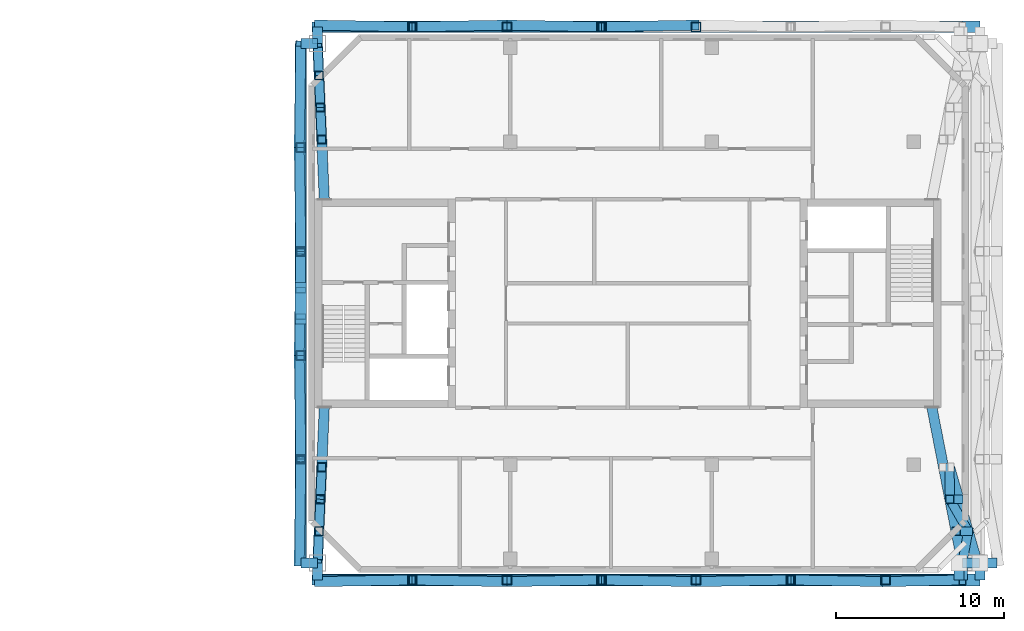
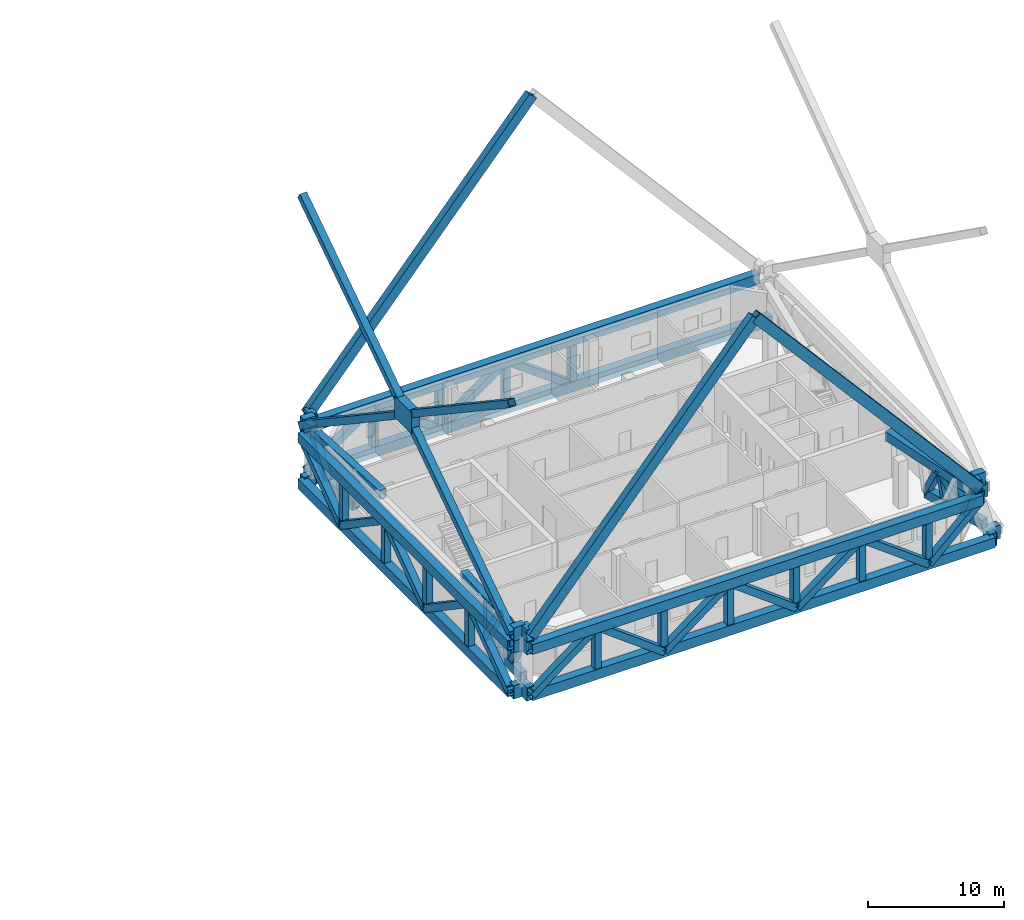
# One storey, part 4 of 20: 55 members, 30 beams.
"""IFC4 building model written with IfcOpenShell, lengths in metres."""

import ifcopenshell
import ifcopenshell.guid

model = None  # the IFC model being written
_history = None  # IfcOwnerHistory: only IFC2X3 demands one
_inside = {}  # id of a spatial element -> (the spatial element, [elements in it])
_under = {}  # id of a project, library or spatial element -> (it, [spatial elements below it])
_declared = {}  # id of a project -> (the project, [libraries it declares])
_typed = {}  # id of a type object -> (the type object, [elements of that type])
_made_of = {}  # id of a material, layer set ... -> (it, [elements and type objects made of it])


def new_model(schema):
    """Start an empty IFC model of exactly this schema.

    Asked for "IFC4X3", IfcOpenShell would pick the latest addendum, in which some entities
    have other attributes; the version numbers below select the first issue.
    IFC2X3 requires an IfcOwnerHistory on every rooted entity: one is made here for all.
    """
    global model, _history
    if schema == "IFC4X3":
        model = ifcopenshell.file(schema_version=(4, 3, 0, 0))
    else:
        model = ifcopenshell.file(schema=schema)
    _inside.clear()
    _under.clear()
    _declared.clear()
    _typed.clear()
    _made_of.clear()
    _history = None
    if model.schema == "IFC2X3":
        org = make("IfcOrganization", Name="unknown")
        user = make(
            "IfcPersonAndOrganization",
            ThePerson=make("IfcPerson", FamilyName="unknown"),
            TheOrganization=org,
        )
        app = make(
            "IfcApplication",
            ApplicationDeveloper=org,
            Version="unknown",
            ApplicationFullName="unknown",
            ApplicationIdentifier="unknown",
        )
        _history = make(
            "IfcOwnerHistory",
            OwningUser=user,
            OwningApplication=app,
            ChangeAction="ADDED",
            CreationDate=0,
        )
    return model


def make(cls, **values):
    """One entity of the class cls with the attributes given. An attribute that is None is left unset."""
    return model.create_entity(
        cls, **{name: value for name, value in values.items() if value is not None}
    )


def rooted(cls, **values):
    """An entity with a GlobalId (a new one), such as an element, a storey or a relation."""
    return make(cls, GlobalId=ifcopenshell.guid.new(), OwnerHistory=_history, **values)


def si_unit(unit_type, name, prefix=None):
    """IfcSIUnit, for example si_unit("LENGTHUNIT", "METRE", prefix="MILLI")."""
    return make("IfcSIUnit", UnitType=unit_type, Prefix=prefix, Name=name)


def assignment(units):
    """IfcUnitAssignment: the units of a project."""
    return None if units is None else make("IfcUnitAssignment", Units=units)


def point(xyz):
    """IfcCartesianPoint."""
    return None if xyz is None else make("IfcCartesianPoint", Coordinates=xyz)


def direction(xyz):
    """IfcDirection."""
    return None if xyz is None else make("IfcDirection", DirectionRatios=xyz)


def frame(location, z_axis=None, x_axis=None):
    """IfcAxis2Placement3D, a coordinate frame: its origin and axes. An axis left out is left unset."""
    return make(
        "IfcAxis2Placement3D",
        Location=point(location),
        Axis=direction(z_axis),
        RefDirection=direction(x_axis),
    )


def frame_2d(location, x_axis=None):
    """IfcAxis2Placement2D, a coordinate frame in the plane: its origin and x axis."""
    return make(
        "IfcAxis2Placement2D", Location=point(location), RefDirection=direction(x_axis)
    )


def origin():
    """The frame at (0, 0, 0) with its axes left unset."""
    return frame((0.0, 0.0, 0.0))


def origin_2d():
    """The frame at (0, 0) in the plane with its x axis left unset."""
    return frame_2d((0.0, 0.0))


def place(relative_to, where):
    """IfcLocalPlacement: puts the frame where relative to a parent placement (None: the world)."""
    return make(
        "IfcLocalPlacement", PlacementRelTo=relative_to, RelativePlacement=where
    )


def context(
    kind, dimensions, precision=None, world=None, true_north=None, identifier=None
):
    """IfcGeometricRepresentationContext, for example the 3D "Model" context."""
    return make(
        "IfcGeometricRepresentationContext",
        ContextIdentifier=identifier,
        ContextType=kind,
        CoordinateSpaceDimension=dimensions,
        Precision=precision,
        WorldCoordinateSystem=world,
        TrueNorth=true_north,
    )


def subcontext(parent, identifier, kind, view, scale=None):
    """IfcGeometricRepresentationSubContext, for example "Body" below "Model"."""
    return make(
        "IfcGeometricRepresentationSubContext",
        ContextIdentifier=identifier,
        ContextType=kind,
        ParentContext=parent,
        TargetScale=scale,
        TargetView=view,
    )


def project(units=None, contexts=None):
    """IfcProject with its units and contexts."""
    return rooted(
        "IfcProject",
        Name="project",
        RepresentationContexts=contexts,
        UnitsInContext=assignment(units),
    )


def spatial(cls, under=None, at=None, **own):
    """A site, building, storey or space (cls), placed at a placement, below another one or the project."""
    s = rooted(cls, ObjectPlacement=at, **own)
    if under is not None:
        _under.setdefault(under.id(), (under, []))[1].append(s)
    return s


def profile(cls, at=None, kind="AREA", **sizes):
    """A parametric profile (cls). Its sizes go by their IFC names, for example OverallWidth=200.0."""
    return make(cls, ProfileType=kind, Position=at, **sizes)


def rectangle(**sizes):
    """IfcRectangleProfileDef."""
    return profile("IfcRectangleProfileDef", **sizes)


def hollow_rectangle(**sizes):
    """IfcRectangleHollowProfileDef."""
    return profile("IfcRectangleHollowProfileDef", **sizes)


def extrude(swept, where, along, depth):
    """IfcExtrudedAreaSolid: the profile swept, set in the frame where, extruded along a direction by depth."""
    return make(
        "IfcExtrudedAreaSolid",
        SweptArea=swept,
        Position=where,
        ExtrudedDirection=direction(along),
        Depth=depth,
    )


def shape(context_of_items, identifier, shape_type, items):
    """IfcShapeRepresentation: the items that make up one representation, for example the "Body"."""
    return make(
        "IfcShapeRepresentation",
        ContextOfItems=context_of_items,
        RepresentationIdentifier=identifier,
        RepresentationType=shape_type,
        Items=items,
    )


def material(Name=None, Category=None):
    """IfcMaterial."""
    return make("IfcMaterial", Name=Name, Category=Category)


def material_profile(
    of_material, cross_section, Name=None, Category=None, Priority=None
):
    """IfcMaterialProfile: a cross section and its material."""
    return make(
        "IfcMaterialProfile",
        Name=Name,
        Material=of_material,
        Profile=cross_section,
        Priority=Priority,
        Category=Category,
    )


def profile_set(profiles, Name=None, composite=None):
    """IfcMaterialProfileSet."""
    return make(
        "IfcMaterialProfileSet",
        Name=Name,
        MaterialProfiles=profiles,
        CompositeProfile=composite,
    )


def made_of(thing, what):
    """Note that an element or type object is made of a material, layer set ...; save() writes the relation."""
    if what is not None:
        _made_of.setdefault(what.id(), (what, []))[1].append(thing)
    return thing


def type_object(cls, material=None, **own):
    """A type object (cls), such as IfcWallType, which elements share."""
    return made_of(rooted(cls, **own), material)


def element(
    cls,
    number,
    at=None,
    inside=None,
    cuts=None,
    type_object=None,
    material=None,
    context=None,
    identifier="Body",
    shape_type=None,
    held_by="IfcProductDefinitionShape",
    body=None,
    shapes=None,
    **own,
):
    """One element of the class cls, such as IfcWall. Its Tag is "e" and its number.

    at: its placement. inside: the storey or other place that contains it. cuts: it is an
    opening in that element (IfcRelVoidsElement). A single representation is given by context,
    identifier, shape_type and body (its items); several are given by shapes. held_by: the class
    of the entity that holds the representations. save() writes the other relations.
    """
    e = rooted(cls, Tag="e%d" % number, ObjectPlacement=at, **own)
    if body is not None:
        shapes = [shape(context, identifier, shape_type, body)]
    if shapes is not None:
        e.Representation = make(held_by, Representations=shapes)
    if inside is not None:
        _inside.setdefault(inside.id(), (inside, []))[1].append(e)
    if cuts is not None:
        rooted(
            "IfcRelVoidsElement", RelatingBuildingElement=cuts, RelatedOpeningElement=e
        )
    if type_object is not None:
        _typed.setdefault(type_object.id(), (type_object, []))[1].append(e)
    return made_of(e, material)


def aggregate(whole, parts):
    """IfcRelAggregates: a whole, such as a stair, and the parts it consists of."""
    return rooted("IfcRelAggregates", RelatingObject=whole, RelatedObjects=parts)


def save(model, path):
    """Write the relations noted so far, then the file.

    IfcRelAggregates (storeys below a building ...), IfcRelContainedInSpatialStructure (elements
    in a storey), IfcRelDefinesByType, IfcRelAssociatesMaterial and IfcRelDeclares: one each for
    every whole, place, type object, material and project.
    """
    for whole, parts in _under.values():
        aggregate(whole, parts)
    for where, things in _inside.values():
        rooted(
            "IfcRelContainedInSpatialStructure",
            RelatedElements=things,
            RelatingStructure=where,
        )
    for kind, things in _typed.values():
        rooted("IfcRelDefinesByType", RelatedObjects=things, RelatingType=kind)
    for what, things in _made_of.values():
        rooted("IfcRelAssociatesMaterial", RelatedObjects=things, RelatingMaterial=what)
    for by, libraries in _declared.values():
        rooted("IfcRelDeclares", RelatingContext=by, RelatedDefinitions=libraries)
    model.write(path)


model = new_model("IFC4")

# Units and contexts
model_context = context("Model", 3, precision=1e-05, world=origin(), true_north=direction((0.0, 1.0)))
body_context = subcontext(model_context, "Body", "Model", "MODEL_VIEW")
ifc_project = project(units=[si_unit("LENGTHUNIT", "METRE"), si_unit("AREAUNIT", "SQUARE_METRE"), si_unit("VOLUMEUNIT", "CUBIC_METRE"), si_unit("PLANEANGLEUNIT", "RADIAN"), si_unit("MASSUNIT", "GRAM", prefix="KILO")], contexts=[model_context])

# Site, building, storey
site_placement = place(None, origin())
site = spatial("IfcSite", under=ifc_project, at=site_placement, CompositionType="ELEMENT")
building_placement = place(site_placement, origin())
building = spatial("IfcBuilding", under=site, at=building_placement, Name="Tuart Gate Housing", CompositionType="ELEMENT")
storey_placement = place(building_placement, frame((0.0, 0.0, 167.10009765625)))
storey = spatial("IfcBuildingStorey", under=building, at=storey_placement, Name="L47", CompositionType="ELEMENT", Elevation=167.10009765625)

# Beams
ifc_material_1 = material(Name="Steel Grade 350", Category="steel")
ifc_material_profile_1 = material_profile(ifc_material_1, hollow_rectangle(XDim=0.699951171875, YDim=0.89990234375, WallThickness=0.0400390625, at=origin_2d()), Name="BOX 900x700x40")
ifc_profile_set_1 = profile_set([ifc_material_profile_1], Name="Steel Grade 350")
beam_type_1 = type_object("IfcBeamType", Name="Belt truss chord BOX 900x700x40", PredefinedType="BEAM", material=ifc_profile_set_1)
for number, where, z_axis, x_axis, name in (
    (1, (131.550048828125, 53.550048828125, 3.75), (1.0, 0.0, 0.0), (0.0, 1.0, 0.0), "Belt truss top chord B south L47"),
    (2, (131.550048828125, 86.449951171875, 3.75), (1.0, 0.0, 0.0), (0.0, 1.0, 0.0), "Belt truss top chord B north L47"),
):
    element("IfcBeam", number, at=place(storey_placement, frame(where, z_axis=z_axis, x_axis=x_axis)), inside=storey, type_object=beam_type_1, Name=name, PredefinedType="BEAM", context=body_context, shape_type="SweptSolid", body=[
        extrude(hollow_rectangle(XDim=0.699951171875, YDim=0.89990234375, WallThickness=0.0400390625, at=origin_2d()), origin(), (0.0, 0.0, 1.0), 38.358154296875),
    ])
beam_1_placement = place(storey_placement, frame((130.550048828125, 54.550048828125, 3.75), z_axis=(0.0, 1.0, 0.0), x_axis=(-1.0, 0.0, 0.0)))
element("IfcBeam", 3, at=beam_1_placement, inside=storey, type_object=beam_type_1, Name="Belt truss top chord B west L47", PredefinedType="BEAM", context=body_context, shape_type="SweptSolid", body=[
    extrude(hollow_rectangle(XDim=0.699951171875, YDim=0.89990234375, WallThickness=0.0400390625, at=origin_2d()), origin(), (0.0, 0.0, 1.0), 30.89990234375),
])

# Members
ifc_material_2 = material(Name="Steel Grade 350", Category="steel")
ifc_material_profile_2 = material_profile(ifc_material_2, hollow_rectangle(XDim=0.60009765625, YDim=0.60009765625, WallThickness=0.031982421875, at=origin_2d()), Name="BOX 600x600x32")
ifc_profile_set_2 = profile_set([ifc_material_profile_2], Name="Steel Grade 350")
member_type_1 = type_object("IfcMemberType", Name="Belt truss diagonal BOX 600x600x32", PredefinedType="BRACE", material=ifc_profile_set_2)
member_1_placement = place(storey_placement, frame((131.550048828125, 53.449951171875, -0.400146484375), z_axis=(0.80478821492, 0.014312000352, 0.593389497524), x_axis=(-0.017780749646, 0.999841909975, 0.0)))
element("IfcMember", 4, at=member_1_placement, inside=storey, type_object=member_type_1, Name="Belt truss diagonal B south 0 L47", PredefinedType="BRACE", context=body_context, shape_type="SweptSolid", body=[
    extrude(hollow_rectangle(XDim=0.60009765625, YDim=0.60009765625, WallThickness=0.031982421875, at=origin_2d()), origin(), (0.0, 0.0, 1.0), 6.993896484375),
])
member_2_placement = place(storey_placement, frame((137.1787109375, 53.550048828125, 3.75), z_axis=(0.804775915997, -0.014312402427, -0.593406167955), x_axis=(0.017781520667, 0.999841896263, 0.0)))
element("IfcMember", 5, at=member_2_placement, inside=storey, type_object=member_type_1, Name="Belt truss diagonal B south 1 L47", PredefinedType="BRACE", context=body_context, shape_type="SweptSolid", body=[
    extrude(hollow_rectangle(XDim=0.60009765625, YDim=0.60009765625, WallThickness=0.031982421875, at=origin_2d()), origin(), (0.0, 0.0, 1.0), 6.99365234375),
])
member_3_placement = place(storey_placement, frame((142.80712890625, 53.449951171875, -0.400146484375), z_axis=(0.80478821492, 0.014312000352, 0.593389497524), x_axis=(-0.017780749646, 0.999841909975, 0.0)))
element("IfcMember", 6, at=member_3_placement, inside=storey, type_object=member_type_1, Name="Belt truss diagonal B south 2 L47", PredefinedType="BRACE", context=body_context, shape_type="SweptSolid", body=[
    extrude(hollow_rectangle(XDim=0.60009765625, YDim=0.60009765625, WallThickness=0.031982421875, at=origin_2d()), origin(), (0.0, 0.0, 1.0), 6.993896484375),
])
member_4_placement = place(storey_placement, frame((148.435791015625, 53.550048828125, 3.75), z_axis=(0.804775915997, -0.014312402427, -0.593406167955), x_axis=(0.017781520667, 0.999841896263, 0.0)))
element("IfcMember", 7, at=member_4_placement, inside=storey, type_object=member_type_1, Name="Belt truss diagonal B south 3 L47", PredefinedType="BRACE", context=body_context, shape_type="SweptSolid", body=[
    extrude(hollow_rectangle(XDim=0.60009765625, YDim=0.60009765625, WallThickness=0.031982421875, at=origin_2d()), origin(), (0.0, 0.0, 1.0), 6.99365234375),
])
member_5_placement = place(storey_placement, frame((154.064208984375, 53.449951171875, -0.400146484375), z_axis=(0.80478821492, 0.014312000352, 0.593389497524), x_axis=(-0.017780749646, 0.999841909975, 0.0)))
element("IfcMember", 8, at=member_5_placement, inside=storey, type_object=member_type_1, Name="Belt truss diagonal B south 4 L47", PredefinedType="BRACE", context=body_context, shape_type="SweptSolid", body=[
    extrude(hollow_rectangle(XDim=0.60009765625, YDim=0.60009765625, WallThickness=0.031982421875, at=origin_2d()), origin(), (0.0, 0.0, 1.0), 6.993896484375),
])
member_6_placement = place(storey_placement, frame((159.69287109375, 53.550048828125, 3.75), z_axis=(0.804775915997, -0.014312402427, -0.593406167955), x_axis=(0.017781520667, 0.999841896263, 0.0)))
element("IfcMember", 9, at=member_6_placement, inside=storey, type_object=member_type_1, Name="Belt truss diagonal B south 5 L47", PredefinedType="BRACE", context=body_context, shape_type="SweptSolid", body=[
    extrude(hollow_rectangle(XDim=0.60009765625, YDim=0.60009765625, WallThickness=0.031982421875, at=origin_2d()), origin(), (0.0, 0.0, 1.0), 6.99365234375),
])
member_7_placement = place(storey_placement, frame((165.3212890625, 53.449951171875, -0.400146484375), z_axis=(0.741432165839, 0.016179858846, 0.670832732973), x_axis=(-0.021817245581, 0.99976197557, 0.0)))
element("IfcMember", 10, at=member_7_placement, inside=storey, type_object=member_type_1, Name="Belt truss diagonal B south 6 L47", PredefinedType="BRACE", context=body_context, shape_type="SweptSolid", body=[
    extrude(hollow_rectangle(XDim=0.60009765625, YDim=0.60009765625, WallThickness=0.031982421875, at=origin_2d()), origin(), (0.0, 0.0, 1.0), 6.1865234375),
])
member_8_placement = place(storey_placement, frame((131.550048828125, 86.550048828125, -0.400146484375), z_axis=(0.80478821492, -0.014312000352, 0.593389497524), x_axis=(0.017780749646, 0.999841909975, 0.0)))
element("IfcMember", 11, at=member_8_placement, inside=storey, type_object=member_type_1, Name="Belt truss diagonal B north 0 L47", PredefinedType="BRACE", context=body_context, shape_type="SweptSolid", body=[
    extrude(hollow_rectangle(XDim=0.60009765625, YDim=0.60009765625, WallThickness=0.031982421875, at=origin_2d()), origin(), (0.0, 0.0, 1.0), 6.993896484375),
])
member_9_placement = place(storey_placement, frame((137.1787109375, 86.449951171875, 3.75), z_axis=(0.804775915997, 0.014312402427, -0.593406167955), x_axis=(-0.017781520667, 0.999841896263, 0.0)))
element("IfcMember", 12, at=member_9_placement, inside=storey, type_object=member_type_1, Name="Belt truss diagonal B north 1 L47", PredefinedType="BRACE", context=body_context, shape_type="SweptSolid", body=[
    extrude(hollow_rectangle(XDim=0.60009765625, YDim=0.60009765625, WallThickness=0.031982421875, at=origin_2d()), origin(), (0.0, 0.0, 1.0), 6.99365234375),
])
member_10_placement = place(storey_placement, frame((142.80712890625, 86.550048828125, -0.400146484375), z_axis=(0.80478821492, -0.014312000352, 0.593389497524), x_axis=(0.017780749646, 0.999841909975, 0.0)))
element("IfcMember", 13, at=member_10_placement, inside=storey, type_object=member_type_1, Name="Belt truss diagonal B north 2 L47", PredefinedType="BRACE", context=body_context, shape_type="SweptSolid", body=[
    extrude(hollow_rectangle(XDim=0.60009765625, YDim=0.60009765625, WallThickness=0.031982421875, at=origin_2d()), origin(), (0.0, 0.0, 1.0), 6.993896484375),
])
member_11_placement = place(storey_placement, frame((148.435791015625, 86.449951171875, 3.75), z_axis=(0.804775915997, 0.014312402427, -0.593406167955), x_axis=(-0.017781520667, 0.999841896263, 0.0)))
element("IfcMember", 14, at=member_11_placement, inside=storey, type_object=member_type_1, Name="Belt truss diagonal B north 3 L47", PredefinedType="BRACE", context=body_context, shape_type="SweptSolid", body=[
    extrude(hollow_rectangle(XDim=0.60009765625, YDim=0.60009765625, WallThickness=0.031982421875, at=origin_2d()), origin(), (0.0, 0.0, 1.0), 6.99365234375),
])
for number, where, z_axis, x_axis, name in (
    (15, (130.449951171875, 54.550048828125, -0.400146484375), (0.013445282135, 0.830098601658, 0.55745451466), (-0.999868850984, 0.016195086671, 0.0), "Belt truss diagonal B west 0 L47"),
    (16, (130.550048828125, 60.72998046875, 3.75), (-0.013445282135, 0.830098601658, -0.55745451466), (-0.999868850984, -0.016195086671, 0.0), "Belt truss diagonal B west 1 L47"),
):
    element("IfcMember", number, at=place(storey_placement, frame(where, z_axis=z_axis, x_axis=x_axis)), inside=storey, type_object=member_type_1, Name=name, PredefinedType="BRACE", context=body_context, shape_type="SweptSolid", body=[
        extrude(hollow_rectangle(XDim=0.60009765625, YDim=0.60009765625, WallThickness=0.031982421875, at=origin_2d()), origin(), (0.0, 0.0, 1.0), 7.44482421875),
    ])
member_12_placement = place(storey_placement, frame((130.449951171875, 66.909912109375, -0.400146484375), z_axis=(0.013444916139, 0.830108797891, 0.557439340102), x_axis=(-0.999868861343, 0.016194447071, 0.0)))
element("IfcMember", 17, at=member_12_placement, inside=storey, type_object=member_type_1, Name="Belt truss diagonal B west 2 L47", PredefinedType="BRACE", context=body_context, shape_type="SweptSolid", body=[
    extrude(hollow_rectangle(XDim=0.60009765625, YDim=0.60009765625, WallThickness=0.031982421875, at=origin_2d()), origin(), (0.0, 0.0, 1.0), 7.445068359375),
])
for number, where, z_axis, x_axis, name in (
    (18, (130.550048828125, 73.090087890625, 3.75), (-0.013445282135, 0.830098601658, -0.55745451466), (-0.999868850984, -0.016195086671, 0.0), "Belt truss diagonal B west 3 L47"),
    (19, (130.449951171875, 79.27001953125, -0.400146484375), (0.013445282135, 0.830098601658, 0.55745451466), (-0.999868850984, 0.016195086671, 0.0), "Belt truss diagonal B west 4 L47"),
):
    element("IfcMember", number, at=place(storey_placement, frame(where, z_axis=z_axis, x_axis=x_axis)), inside=storey, type_object=member_type_1, Name=name, PredefinedType="BRACE", context=body_context, shape_type="SweptSolid", body=[
        extrude(hollow_rectangle(XDim=0.60009765625, YDim=0.60009765625, WallThickness=0.031982421875, at=origin_2d()), origin(), (0.0, 0.0, 1.0), 7.44482421875),
    ])
ifc_material_3 = material(Name="Steel Grade 350", Category="steel")
ifc_material_profile_3 = material_profile(ifc_material_3, hollow_rectangle(XDim=0.56005859375, YDim=0.56005859375, WallThickness=0.030029296875, at=origin_2d()), Name="BOX 560x560x30")
ifc_profile_set_3 = profile_set([ifc_material_profile_3], Name="Steel Grade 350")
member_type_2 = type_object("IfcMemberType", Name="Belt truss post BOX 560x560x30", PredefinedType="POST", material=ifc_profile_set_3)
for number, where, z_axis, x_axis, name in (
    (20, (137.1787109375, 53.550048828125, -0.400146484375), (0.0, 0.0, 1.0), (1.0, 0.0, 0.0), "Belt truss post B south 1 L47"),
    (21, (142.80712890625, 53.550048828125, -0.400146484375), (0.0, 0.0, 1.0), (1.0, 0.0, 0.0), "Belt truss post B south 2 L47"),
    (22, (148.435791015625, 53.550048828125, -0.400146484375), (0.0, 0.0, 1.0), (1.0, 0.0, 0.0), "Belt truss post B south 3 L47"),
    (23, (154.064208984375, 53.550048828125, -0.400146484375), (0.0, 0.0, 1.0), (1.0, 0.0, 0.0), "Belt truss post B south 4 L47"),
    (24, (159.69287109375, 53.550048828125, -0.400146484375), (0.0, 0.0, 1.0), (1.0, 0.0, 0.0), "Belt truss post B south 5 L47"),
    (25, (165.3212890625, 53.550048828125, -0.400146484375), (0.0, 0.0, 1.0), (1.0, 0.0, 0.0), "Belt truss post B south 6 L47"),
    (26, (137.1787109375, 86.449951171875, -0.400146484375), (0.0, 0.0, 1.0), (1.0, 0.0, 0.0), "Belt truss post B north 1 L47"),
    (27, (142.80712890625, 86.449951171875, -0.400146484375), (0.0, 0.0, 1.0), (1.0, 0.0, 0.0), "Belt truss post B north 2 L47"),
    (28, (148.435791015625, 86.449951171875, -0.400146484375), (0.0, 0.0, 1.0), (1.0, 0.0, 0.0), "Belt truss post B north 3 L47"),
    (29, (154.064208984375, 86.449951171875, -0.400146484375), (0.0, 0.0, 1.0), (1.0, 0.0, 0.0), "Belt truss post B north 4 L47"),
    (30, (130.550048828125, 60.72998046875, -0.400146484375), (0.0, 0.0, 1.0), (1.0, 0.0, 0.0), "Belt truss post B west 1 L47"),
    (31, (130.550048828125, 66.909912109375, -0.400146484375), (0.0, 0.0, 1.0), (1.0, 0.0, 0.0), "Belt truss post B west 2 L47"),
    (32, (130.550048828125, 73.090087890625, -0.400146484375), (0.0, 0.0, 1.0), (1.0, 0.0, 0.0), "Belt truss post B west 3 L47"),
    (33, (130.550048828125, 79.27001953125, -0.400146484375), (0.0, 0.0, 1.0), (1.0, 0.0, 0.0), "Belt truss post B west 4 L47"),
):
    element("IfcMember", number, at=place(storey_placement, frame(where, z_axis=z_axis, x_axis=x_axis)), inside=storey, type_object=member_type_2, Name=name, PredefinedType="POST", context=body_context, shape_type="SweptSolid", body=[
        extrude(hollow_rectangle(XDim=0.56005859375, YDim=0.56005859375, WallThickness=0.030029296875, at=origin_2d()), origin(), (0.0, 0.0, 1.0), 4.150146484375),
    ])
ifc_material_4 = material(Name="Steel Grade 350", Category="steel")
ifc_material_profile_4 = material_profile(ifc_material_4, rectangle(XDim=2.47900390625, YDim=1.95703125, at=origin_2d()), Name="Brace node plate 2479 x 1957")
ifc_profile_set_4 = profile_set([ifc_material_profile_4], Name="Steel Grade 350")
member_type_3 = type_object("IfcMemberType", Name="Brace node plate 2479 x 1957", PredefinedType="PLATE", material=ifc_profile_set_4)
member_13_placement = place(storey_placement, frame((130.205078125, 70.0, 15.159912109375), z_axis=(1.0, 0.0, 0.0), x_axis=(0.0, 1.0, 0.0)))
element("IfcMember", 34, at=member_13_placement, inside=storey, type_object=member_type_3, Name="Brace node B zone 7 west", PredefinedType="PLATE", context=body_context, shape_type="SweptSolid", body=[
    extrude(rectangle(XDim=2.47900390625, YDim=1.95703125, at=origin_2d()), origin(), (0.0, 0.0, 1.0), 0.68994140625),
])

# Beams
ifc_material_5 = material(Name="Steel Grade 350", Category="steel")
ifc_material_profile_5 = material_profile(ifc_material_5, hollow_rectangle(XDim=0.60009765625, YDim=1.199951171875, WallThickness=0.0400390625, at=origin_2d()), Name="BOX 1200x600x40")
ifc_profile_set_5 = profile_set([ifc_material_profile_5], Name="Steel Grade 350")
beam_type_2 = type_object("IfcBeamType", Name="Brace shoe BOX 1200x600x40", PredefinedType="BEAM", material=ifc_profile_set_5)
for number, where, z_axis, x_axis, name in (
    (35, (131.550048828125, 54.550048828125, -0.400146484375), (0.0, -1.0, 0.0), (1.0, 0.0, 0.0), "Mega tie beam B node 6 south shoe 0 L47"),
    (36, (170.949951171875, 54.550048828125, -0.400146484375), (0.0, -1.0, 0.0), (1.0, 0.0, 0.0), "Mega tie beam B node 6 south shoe 1 L47"),
    (37, (131.550048828125, 85.449951171875, -0.400146484375), (0.0, 1.0, 0.0), (-1.0, 0.0, 0.0), "Mega tie beam B node 6 north shoe 0 L47"),
    (38, (170.949951171875, 54.550048828125, -0.400146484375), (1.0, 0.0, 0.0), (0.0, 1.0, 0.0), "Mega tie beam B node 6 east shoe 0 L47"),
    (39, (131.550048828125, 54.550048828125, -0.400146484375), (-1.0, 0.0, 0.0), (0.0, -1.0, 0.0), "Mega tie beam B node 6 west shoe 0 L47"),
    (40, (131.550048828125, 85.449951171875, -0.400146484375), (-1.0, 0.0, 0.0), (0.0, -1.0, 0.0), "Mega tie beam B node 6 west shoe 1 L47"),
    (41, (131.550048828125, 54.550048828125, 4.81982421875), (0.0, -1.0, 0.0), (1.0, 0.0, 0.0), "Mega brace shoe B zone 7 south chevron 1"),
    (42, (169.699951171875, 54.550048828125, 4.81982421875), (0.0, -1.0, 0.0), (1.0, 0.0, 0.0), "Mega brace shoe B zone 7 south chevron 2"),
    (43, (131.550048828125, 85.449951171875, 4.81982421875), (0.0, 1.0, 0.0), (-1.0, 0.0, 0.0), "Mega brace shoe B zone 7 north chevron 1"),
    (44, (169.699951171875, 54.550048828125, 4.81982421875), (1.0, 0.0, 0.0), (0.0, 1.0, 0.0), "Mega brace shoe B zone 7 east cross 1"),
    (45, (131.550048828125, 54.550048828125, 4.81982421875), (-1.0, 0.0, 0.0), (0.0, -1.0, 0.0), "Mega brace shoe B zone 7 west cross 1"),
    (46, (131.550048828125, 85.449951171875, 4.81982421875), (-1.0, 0.0, 0.0), (0.0, -1.0, 0.0), "Mega brace shoe B zone 7 west cross 2"),
    (47, (131.550048828125, 54.550048828125, 3.75), (0.0, -1.0, 0.0), (1.0, 0.0, 0.0), "Belt truss top chord B south shoe 0 L47"),
    (48, (169.908203125, 54.550048828125, 3.75), (0.0, -1.0, 0.0), (1.0, 0.0, 0.0), "Belt truss top chord B south shoe 1 L47"),
    (49, (131.550048828125, 85.449951171875, 3.75), (0.0, 1.0, 0.0), (-1.0, 0.0, 0.0), "Belt truss top chord B north shoe 0 L47"),
    (50, (169.908203125, 54.550048828125, 3.75), (1.0, 0.0, 0.0), (0.0, 1.0, 0.0), "Belt truss top chord B east shoe 0 L47"),
    (51, (131.550048828125, 54.550048828125, 3.75), (-1.0, 0.0, 0.0), (0.0, -1.0, 0.0), "Belt truss top chord B west shoe 0 L47"),
    (52, (131.550048828125, 85.449951171875, 3.75), (-1.0, 0.0, 0.0), (0.0, -1.0, 0.0), "Belt truss top chord B west shoe 1 L47"),
):
    element("IfcBeam", number, at=place(storey_placement, frame(where, z_axis=z_axis, x_axis=x_axis)), inside=storey, type_object=beam_type_2, Name=name, PredefinedType="BEAM", context=body_context, shape_type="SweptSolid", body=[
        extrude(hollow_rectangle(XDim=0.60009765625, YDim=1.199951171875, WallThickness=0.0400390625, at=origin_2d()), origin(), (0.0, 0.0, 1.0), 1.0),
    ])

# Members
ifc_material_6 = material(Name="Steel Grade 350", Category="steel")
ifc_material_profile_6 = material_profile(ifc_material_6, hollow_rectangle(XDim=0.60009765625, YDim=0.60009765625, WallThickness=0.030029296875, at=origin_2d()), Name="BOX 600x600x30")
ifc_profile_set_6 = profile_set([ifc_material_profile_6], Name="Steel Grade 350")
member_type_4 = type_object("IfcMemberType", Name="Mega brace BOX 600x600x30", PredefinedType="BRACE", material=ifc_profile_set_6)
for number, where, z_axis, x_axis, name in (
    (53, (130.550048828125, 54.550048828125, 4.81982421875), (0.0, 0.831050370264, 0.556197161161), (-1.0, 0.0, 0.0), "Mega brace B zone 7 west cross 1 a"),
    (54, (130.550048828125, 70.78955078125, 15.688232421875), (0.0, 0.831050370264, 0.556197161161), (-1.0, 0.0, 0.0), "Mega brace B zone 7 west cross 1 b"),
    (55, (130.550048828125, 85.449951171875, 4.81982421875), (0.0, -0.831050370264, 0.556197161161), (1.0, 0.0, 0.0), "Mega brace B zone 7 west cross 2 a"),
    (56, (130.550048828125, 69.21044921875, 15.688232421875), (0.0, -0.831050370264, 0.556197161161), (1.0, 0.0, 0.0), "Mega brace B zone 7 west cross 2 b"),
):
    element("IfcMember", number, at=place(storey_placement, frame(where, z_axis=z_axis, x_axis=x_axis)), inside=storey, type_object=member_type_4, Name=name, PredefinedType="BRACE", context=body_context, shape_type="SweptSolid", body=[
        extrude(hollow_rectangle(XDim=0.60009765625, YDim=0.60009765625, WallThickness=0.030029296875, at=origin_2d()), origin(), (0.0, 0.0, 1.0), 17.640869140625),
    ])
ifc_material_7 = material(Name="Steel Grade 350", Category="steel")
ifc_material_profile_7 = material_profile(ifc_material_7, hollow_rectangle(XDim=0.60009765625, YDim=0.85009765625, WallThickness=0.0419921875, at=origin_2d()), Name="BOX 850x600x42")
ifc_profile_set_7 = profile_set([ifc_material_profile_7], Name="Steel Grade 350")
member_type_5 = type_object("IfcMemberType", Name="Mega brace BOX 850x600x42", PredefinedType="BRACE", material=ifc_profile_set_7)
for number, where, z_axis, x_axis, name in (
    (57, (131.550048828125, 53.550048828125, 4.81982421875), (0.653733576954, 0.0, 0.756724791693), (0.0, 1.0, 0.0), "Mega brace B zone 7 south chevron 1"),
    (58, (169.699951171875, 53.550048828125, 4.81982421875), (-0.653733576954, 0.0, 0.756724791693), (0.0, -1.0, 0.0), "Mega brace B zone 7 south chevron 2"),
    (59, (131.550048828125, 86.449951171875, 4.81982421875), (0.653733576954, 0.0, 0.756724791693), (0.0, 1.0, 0.0), "Mega brace B zone 7 north chevron 1"),
):
    element("IfcMember", number, at=place(storey_placement, frame(where, z_axis=z_axis, x_axis=x_axis)), inside=storey, type_object=member_type_5, Name=name, PredefinedType="BRACE", context=body_context, shape_type="SweptSolid", body=[
        extrude(hollow_rectangle(XDim=0.60009765625, YDim=0.85009765625, WallThickness=0.0419921875, at=origin_2d()), origin(), (0.0, 0.0, 1.0), 29.178466796875),
    ])

# Beams
ifc_material_8 = material(Name="Steel Grade 350", Category="steel")
ifc_material_profile_8 = material_profile(ifc_material_8, hollow_rectangle(XDim=0.60009765625, YDim=0.800048828125, WallThickness=0.0400390625, at=origin_2d()), Name="BOX 800x600x40")
ifc_profile_set_8 = profile_set([ifc_material_profile_8], Name="Steel Grade 350")
beam_type_3 = type_object("IfcBeamType", Name="Outrigger chord BOX 800x600x40", PredefinedType="BEAM", material=ifc_profile_set_8)
beam_2_placement = place(storey_placement, frame((169.142822265625, 60.25, 0.5498046875), z_axis=(0.278728200939, -0.960370027646, 0.0), x_axis=(0.960370027646, 0.278728200939, 0.0)))
element("IfcBeam", 60, at=beam_2_placement, inside=storey, type_object=beam_type_3, Name="Outrigger bottom chord BK south 0 L47", PredefinedType="BEAM", context=body_context, shape_type="SweptSolid", body=[
    extrude(hollow_rectangle(XDim=0.60009765625, YDim=0.800048828125, WallThickness=0.0400390625, at=origin_2d()), origin(), (0.0, 0.0, 1.0), 5.93505859375),
])
for number, where, z_axis, x_axis, name in (
    (61, (131.7958984375, 60.25, 0.5498046875), (-0.043091815399, -0.99907111631, 0.0), (0.99907111631, -0.043091815399, 0.0), "Outrigger bottom chord BG south 0 L47"),
    (62, (131.7958984375, 79.75, 0.5498046875), (-0.043091815399, 0.99907111631, 0.0), (-0.99907111631, -0.043091815399, 0.0), "Outrigger bottom chord BG north 0 L47"),
):
    element("IfcBeam", number, at=place(storey_placement, frame(where, z_axis=z_axis, x_axis=x_axis)), inside=storey, type_object=beam_type_3, Name=name, PredefinedType="BEAM", context=body_context, shape_type="SweptSolid", body=[
        extrude(hollow_rectangle(XDim=0.60009765625, YDim=0.800048828125, WallThickness=0.0400390625, at=origin_2d()), origin(), (0.0, 0.0, 1.0), 5.705322265625),
    ])
ifc_material_9 = material(Name="Steel Grade 350", Category="steel")
ifc_material_profile_9 = material_profile(ifc_material_9, hollow_rectangle(XDim=0.60009765625, YDim=0.800048828125, WallThickness=0.0400390625, at=origin_2d()), Name="BOX 800x600x40")
ifc_profile_set_9 = profile_set([ifc_material_profile_9], Name="Steel Grade 350")
beam_type_4 = type_object("IfcBeamType", Name="Outrigger chord BOX 800x600x40 (8.2-10.5 m)", PredefinedType="BEAM", material=ifc_profile_set_9)
beam_3_placement = place(storey_placement, frame((168.0400390625, 64.050048828125, 3.7998046875), z_axis=(0.19156902976, -0.981479142334, 0.0), x_axis=(0.981479142334, 0.19156902976, 0.0)))
element("IfcBeam", 63, at=beam_3_placement, inside=storey, type_object=beam_type_4, Name="Outrigger top chord BK south L47", PredefinedType="BEAM", context=body_context, shape_type="SweptSolid", body=[
    extrude(hollow_rectangle(XDim=0.60009765625, YDim=0.800048828125, WallThickness=0.0400390625, at=origin_2d()), origin(), (0.0, 0.0, 1.0), 9.67919921875),
])
for number, where, z_axis, x_axis, name in (
    (64, (131.9599609375, 64.050048828125, 3.7998046875), (-0.043108531904, -0.999070395156, 0.0), (0.999070395156, -0.043108531904, 0.0), "Outrigger top chord BG south L47"),
    (65, (131.9599609375, 75.949951171875, 3.7998046875), (-0.043108531904, 0.999070395156, 0.0), (-0.999070395156, -0.043108531904, 0.0), "Outrigger top chord BG north L47"),
):
    element("IfcBeam", number, at=place(storey_placement, frame(where, z_axis=z_axis, x_axis=x_axis)), inside=storey, type_object=beam_type_4, Name=name, PredefinedType="BEAM", context=body_context, shape_type="SweptSolid", body=[
        extrude(hollow_rectangle(XDim=0.60009765625, YDim=0.800048828125, WallThickness=0.0400390625, at=origin_2d()), origin(), (0.0, 0.0, 1.0), 9.5087890625),
    ])

# Members
ifc_material_10 = material(Name="Steel Grade 350", Category="steel")
ifc_material_profile_10 = material_profile(ifc_material_10, hollow_rectangle(XDim=0.5400390625, YDim=0.5400390625, WallThickness=0.030029296875, at=origin_2d()), Name="BOX 540x540x30")
ifc_profile_set_10 = profile_set([ifc_material_profile_10], Name="Steel Grade 350")
member_type_6 = type_object("IfcMemberType", Name="Outrigger diagonal BOX 540x540x30", PredefinedType="BRACE", material=ifc_profile_set_10)
member_14_placement = place(storey_placement, frame((169.142822265625, 60.25, 0.5498046875), z_axis=(0.002594066081, -0.504675556014, 0.863305191681), x_axis=(0.999986790118, 0.005139998921, 0.0)))
element("IfcMember", 66, at=member_14_placement, inside=storey, type_object=member_type_6, Name="Outrigger diagonal BK south 2 L47", PredefinedType="BRACE", context=body_context, shape_type="SweptSolid", body=[
    extrude(hollow_rectangle(XDim=0.5400390625, YDim=0.5400390625, WallThickness=0.030029296875, at=origin_2d()), origin(), (0.0, 0.0, 1.0), 3.7646484375),
])
member_15_placement = place(storey_placement, frame((169.152587890625, 58.35009765625, 3.7998046875), z_axis=(0.278876256112, -0.484701630487, -0.82903097842), x_axis=(0.866772725184, 0.498703361605, 0.0)))
element("IfcMember", 67, at=member_15_placement, inside=storey, type_object=member_type_6, Name="Outrigger diagonal BK south 3 L47", PredefinedType="BRACE", context=body_context, shape_type="SweptSolid", body=[
    extrude(hollow_rectangle(XDim=0.5400390625, YDim=0.5400390625, WallThickness=0.030029296875, at=origin_2d()), origin(), (0.0, 0.0, 1.0), 3.920166015625),
])
member_16_placement = place(storey_placement, frame((170.245849609375, 56.449951171875, 0.5498046875), z_axis=(-0.092982121276, -0.502490880393, 0.859568054458), x_axis=(0.983307132871, -0.181953517262, 0.0)))
element("IfcMember", 68, at=member_16_placement, inside=storey, type_object=member_type_6, Name="Outrigger diagonal BK south 4 L47", PredefinedType="BRACE", context=body_context, shape_type="SweptSolid", body=[
    extrude(hollow_rectangle(XDim=0.5400390625, YDim=0.5400390625, WallThickness=0.030029296875, at=origin_2d()), origin(), (0.0, 0.0, 1.0), 3.781005859375),
])
member_17_placement = place(storey_placement, frame((131.7958984375, 60.25, 0.5498046875), z_axis=(-0.021720251236, -0.504558194384, 0.863104431205), x_axis=(0.999074718087, -0.043008228034, 0.0)))
element("IfcMember", 69, at=member_17_placement, inside=storey, type_object=member_type_6, Name="Outrigger diagonal BG south 2 L47", PredefinedType="BRACE", context=body_context, shape_type="SweptSolid", body=[
    extrude(hollow_rectangle(XDim=0.5400390625, YDim=0.5400390625, WallThickness=0.030029296875, at=origin_2d()), origin(), (0.0, 0.0, 1.0), 3.765380859375),
])
member_18_placement = place(storey_placement, frame((131.714111328125, 58.35009765625, 3.7998046875), z_axis=(-0.021784344401, -0.504605810923, -0.863074978158), x_axis=(0.999069432334, -0.043130840198, 0.0)))
element("IfcMember", 70, at=member_18_placement, inside=storey, type_object=member_type_6, Name="Outrigger diagonal BG south 3 L47", PredefinedType="BRACE", context=body_context, shape_type="SweptSolid", body=[
    extrude(hollow_rectangle(XDim=0.5400390625, YDim=0.5400390625, WallThickness=0.030029296875, at=origin_2d()), origin(), (0.0, 0.0, 1.0), 3.765625),
])
for number, where, z_axis, x_axis, name in (
    (71, (131.632080078125, 56.449951171875, 0.5498046875), (-0.021785057082, -0.504557482773, 0.863103213913), (0.999069193493, -0.043136372271, 0.0), "Outrigger diagonal BG south 4 L47"),
    (72, (131.7958984375, 79.75, 0.5498046875), (-0.021720251236, 0.504558194384, 0.863104431205), (-0.999074718087, -0.043008228034, 0.0), "Outrigger diagonal BG north 2 L47"),
):
    element("IfcMember", number, at=place(storey_placement, frame(where, z_axis=z_axis, x_axis=x_axis)), inside=storey, type_object=member_type_6, Name=name, PredefinedType="BRACE", context=body_context, shape_type="SweptSolid", body=[
        extrude(hollow_rectangle(XDim=0.5400390625, YDim=0.5400390625, WallThickness=0.030029296875, at=origin_2d()), origin(), (0.0, 0.0, 1.0), 3.765380859375),
    ])
member_19_placement = place(storey_placement, frame((131.714111328125, 81.64990234375, 3.7998046875), z_axis=(-0.021784344401, 0.504605810923, -0.863074978158), x_axis=(-0.999069432334, -0.043130840198, 0.0)))
element("IfcMember", 73, at=member_19_placement, inside=storey, type_object=member_type_6, Name="Outrigger diagonal BG north 3 L47", PredefinedType="BRACE", context=body_context, shape_type="SweptSolid", body=[
    extrude(hollow_rectangle(XDim=0.5400390625, YDim=0.5400390625, WallThickness=0.030029296875, at=origin_2d()), origin(), (0.0, 0.0, 1.0), 3.765625),
])
member_20_placement = place(storey_placement, frame((131.632080078125, 83.550048828125, 0.5498046875), z_axis=(-0.021785057082, 0.504557482773, 0.863103213913), x_axis=(-0.999069193493, -0.043136372271, 0.0)))
element("IfcMember", 74, at=member_20_placement, inside=storey, type_object=member_type_6, Name="Outrigger diagonal BG north 4 L47", PredefinedType="BRACE", context=body_context, shape_type="SweptSolid", body=[
    extrude(hollow_rectangle(XDim=0.5400390625, YDim=0.5400390625, WallThickness=0.030029296875, at=origin_2d()), origin(), (0.0, 0.0, 1.0), 3.765380859375),
])
ifc_material_11 = material(Name="Steel Grade 350", Category="steel")
ifc_material_profile_11 = material_profile(ifc_material_11, hollow_rectangle(XDim=0.52001953125, YDim=0.52001953125, WallThickness=0.028076171875, at=origin_2d()), Name="BOX 520x520x28")
ifc_profile_set_11 = profile_set([ifc_material_profile_11], Name="Steel Grade 350")
member_type_7 = type_object("IfcMemberType", Name="Outrigger post BOX 520x520x28", PredefinedType="POST", material=ifc_profile_set_11)
member_21_placement = place(storey_placement, frame((169.6943359375, 58.35009765625, 0.5498046875), z_axis=(-0.164423018976, 0.0, 0.986389918253), x_axis=(0.0, -1.0, 0.0)))
element("IfcMember", 75, at=member_21_placement, inside=storey, type_object=member_type_7, Name="Outrigger post BK south 3 L47", PredefinedType="POST", context=body_context, shape_type="SweptSolid", body=[
    extrude(hollow_rectangle(XDim=0.52001953125, YDim=0.52001953125, WallThickness=0.028076171875, at=origin_2d()), origin(), (0.0, 0.0, 1.0), 3.294921875),
])
member_22_placement = place(storey_placement, frame((170.245849609375, 56.449951171875, 0.5498046875), z_axis=(-0.216984808288, 0.0, 0.976174980714), x_axis=(0.0, -1.0, 0.0)))
element("IfcMember", 76, at=member_22_placement, inside=storey, type_object=member_type_7, Name="Outrigger post BK south 4 L47", PredefinedType="POST", context=body_context, shape_type="SweptSolid", body=[
    extrude(hollow_rectangle(XDim=0.52001953125, YDim=0.52001953125, WallThickness=0.028076171875, at=origin_2d()), origin(), (0.0, 0.0, 1.0), 3.329345703125),
])
for number, where, z_axis, x_axis, name in (
    (77, (131.7958984375, 60.25, 0.5498046875), (0.0, 0.0, 1.0), (1.0, 0.0, 0.0), "Outrigger post BG south 2 L47"),
    (78, (131.714111328125, 58.35009765625, 0.5498046875), (0.0, 0.0, 1.0), (1.0, 0.0, 0.0), "Outrigger post BG south 3 L47"),
    (79, (131.632080078125, 56.449951171875, 0.5498046875), (0.0, 0.0, 1.0), (1.0, 0.0, 0.0), "Outrigger post BG south 4 L47"),
    (80, (131.7958984375, 79.75, 0.5498046875), (0.0, 0.0, 1.0), (1.0, 0.0, 0.0), "Outrigger post BG north 2 L47"),
    (81, (131.714111328125, 81.64990234375, 0.5498046875), (0.0, 0.0, 1.0), (1.0, 0.0, 0.0), "Outrigger post BG north 3 L47"),
    (82, (131.632080078125, 83.550048828125, 0.5498046875), (0.0, 0.0, 1.0), (1.0, 0.0, 0.0), "Outrigger post BG north 4 L47"),
):
    element("IfcMember", number, at=place(storey_placement, frame(where, z_axis=z_axis, x_axis=x_axis)), inside=storey, type_object=member_type_7, Name=name, PredefinedType="POST", context=body_context, shape_type="SweptSolid", body=[
        extrude(hollow_rectangle(XDim=0.52001953125, YDim=0.52001953125, WallThickness=0.028076171875, at=origin_2d()), origin(), (0.0, 0.0, 1.0), 3.25),
    ])

# Beams
ifc_material_12 = material(Name="Steel Grade 350", Category="steel")
ifc_material_profile_12 = material_profile(ifc_material_12, hollow_rectangle(XDim=0.699951171875, YDim=0.89990234375, WallThickness=0.0400390625, at=origin_2d()), Name="BOX 900x700x40")
ifc_profile_set_12 = profile_set([ifc_material_profile_12], Name="Steel Grade 350")
beam_type_5 = type_object("IfcBeamType", Name="Tie beam BOX 900x700x40", PredefinedType="BEAM", material=ifc_profile_set_12)
for number, where, z_axis, x_axis, name in (
    (83, (131.550048828125, 53.550048828125, -0.400146484375), (1.0, 0.0, 0.0), (0.0, 1.0, 0.0), "Mega tie beam B node 6 south L47"),
    (84, (131.550048828125, 86.449951171875, -0.400146484375), (1.0, 0.0, 0.0), (0.0, 1.0, 0.0), "Mega tie beam B node 6 north L47"),
):
    element("IfcBeam", number, at=place(storey_placement, frame(where, z_axis=z_axis, x_axis=x_axis)), inside=storey, type_object=beam_type_5, Name=name, PredefinedType="BEAM", context=body_context, shape_type="SweptSolid", body=[
        extrude(hollow_rectangle(XDim=0.699951171875, YDim=0.89990234375, WallThickness=0.0400390625, at=origin_2d()), origin(), (0.0, 0.0, 1.0), 39.39990234375),
    ])
beam_4_placement = place(storey_placement, frame((130.550048828125, 54.550048828125, -0.400146484375), z_axis=(0.0, 1.0, 0.0), x_axis=(-1.0, 0.0, 0.0)))
element("IfcBeam", 85, at=beam_4_placement, inside=storey, type_object=beam_type_5, Name="Mega tie beam B node 6 west L47", PredefinedType="BEAM", context=body_context, shape_type="SweptSolid", body=[
    extrude(hollow_rectangle(XDim=0.699951171875, YDim=0.89990234375, WallThickness=0.0400390625, at=origin_2d()), origin(), (0.0, 0.0, 1.0), 30.89990234375),
])

save(model, "model.ifc")
